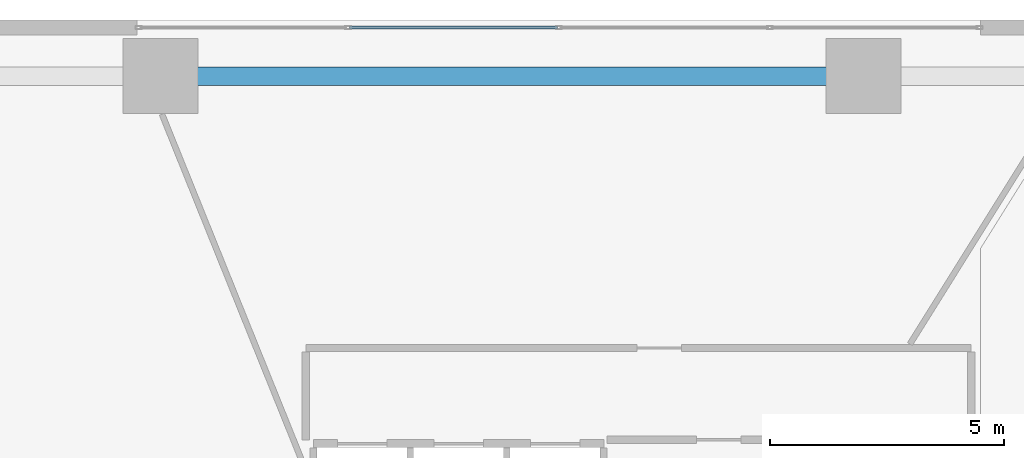
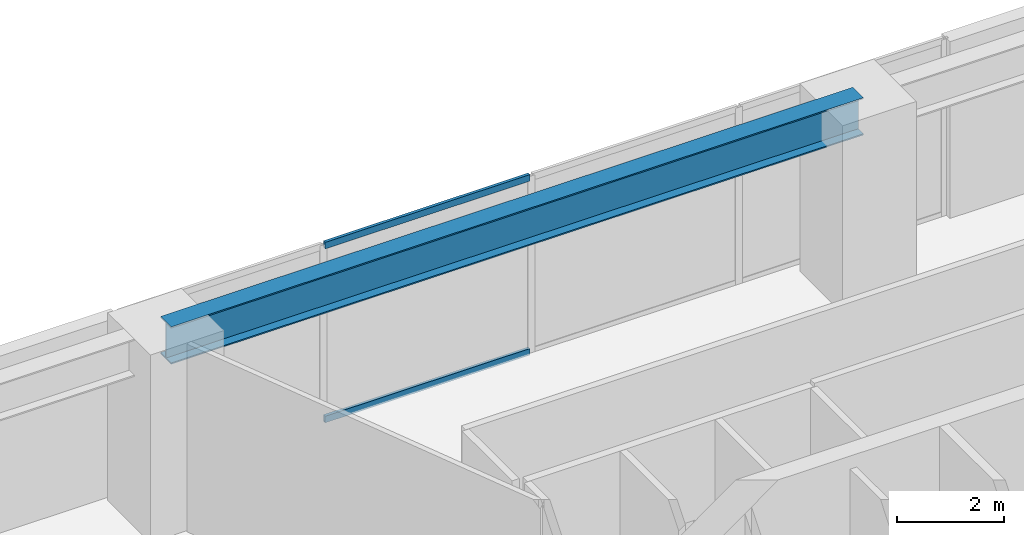
# One storey, part 11 of 24: 2 members, 1 beam, 1 element without a shape of its own.
"""IFC4 building model written with IfcOpenShell, lengths in metres."""

from ifc_helpers import new_model, si_unit, direction, frame, origin, origin_2d, place, context, subcontext, project, spatial, hollow_rectangle, i_section, extrude, source, transform, mapped, material, layer, layer_set, material_profile, profile_set, type_object, type_shapes, element, aggregate, save


model = new_model("IFC4")

# Units and contexts
model_context = context("Model", 3, precision=1e-05, world=origin(), true_north=direction((0.0, 1.0)))
body_context = subcontext(model_context, "Body", "Model", "MODEL_VIEW")
ifc_project = project(units=[si_unit("LENGTHUNIT", "METRE"), si_unit("AREAUNIT", "SQUARE_METRE"), si_unit("VOLUMEUNIT", "CUBIC_METRE"), si_unit("PLANEANGLEUNIT", "RADIAN"), si_unit("MASSUNIT", "GRAM", prefix="KILO")], contexts=[model_context])

# Site, building, storey
site_placement = place(None, origin())
site = spatial("IfcSite", under=ifc_project, at=site_placement, CompositionType="ELEMENT")
building_placement = place(site_placement, origin())
building = spatial("IfcBuilding", under=site, at=building_placement, Name="Talar Marvaseh", CompositionType="ELEMENT")
storey_placement = place(building_placement, frame((0.0, 0.0, 9.800048828125)))
storey = spatial("IfcBuildingStorey", under=building, at=storey_placement, Name="L02", CompositionType="ELEMENT", Elevation=9.800048828125)

# Beam
ifc_material_1 = material(Name="Steel S355", Category="steel")
ifc_material_profile_1 = material_profile(ifc_material_1, i_section(OverallWidth=0.39990234375, OverallDepth=0.85498046875, WebThickness=0.018310546875, FlangeThickness=0.029296875, at=origin_2d()), Name="W840x299")
ifc_profile_set_1 = profile_set([ifc_material_profile_1], Name="Steel S355")
beam_type = type_object("IfcBeamType", Name="Concourse Primary Girder W840x299", PredefinedType="BEAM", material=ifc_profile_set_1)
beam_placement = place(storey_placement, frame((18.5, 46.800048828125, 3.87255859375), z_axis=(1.0, 0.0, 0.0), x_axis=(0.0, 1.0, 0.0)))
element("IfcBeam", 1, at=beam_placement, inside=storey, type_object=beam_type, Name="L02 Concourse Primary Girder W840x299", PredefinedType="BEAM", context=body_context, shape_type="SweptSolid", body=[
    extrude(i_section(OverallWidth=0.39990234375, OverallDepth=0.85498046875, WebThickness=0.018310546875, FlangeThickness=0.029296875, at=origin_2d()), origin(), (0.0, 0.0, 1.0), 15.0),
])

# Curtain wall, members
ifc_material_2 = material(Name="Architectural Aluminium", Category="aluminium")
ifc_layer = layer(ifc_material_2, 0.25)
ifc_layer_set = layer_set([ifc_layer], Name="Architectural Aluminium")
curtain_wall_type = type_object("IfcCurtainWallType", Name="Station Podium Monumental Iwan Curtain Wall", PredefinedType="NOTDEFINED", material=ifc_layer_set)
curtain_wall_placement = place(storey_placement, origin())
curtain_wall = element("IfcCurtainWall", 2, at=curtain_wall_placement, inside=storey, type_object=curtain_wall_type, Name="L02 Station Podium Monumental Iwan Curtain Wall", PredefinedType="NOTDEFINED")
ifc_material_profile_2 = material_profile(ifc_material_2, hollow_rectangle(XDim=0.06494140625, YDim=0.14990234375, WallThickness=0.00390625, at=origin_2d()), Name="RHS150x65x4")
ifc_profile_set_2 = profile_set([ifc_material_profile_2], Name="Architectural Aluminium")
member_type = type_object("IfcMemberType", Name="Unitised Curtain Wall Slim Transom RHS150x65x4", PredefinedType="USERDEFINED", material=ifc_profile_set_2)
shared_shape = source(origin(), body_context, "Body", "SweptSolid", [
    extrude(hollow_rectangle(XDim=0.06494140625, YDim=0.14990234375, WallThickness=0.00390625, at=origin_2d()), origin(), (0.0, 0.0, 1.0), 4.43505859375),
])
type_shapes(member_type, [shared_shape])
member_1_placement = place(storey_placement, frame((22.532470703125, 47.840087890625, 0.032470703125), z_axis=(1.0, 0.0, 0.0), x_axis=(0.0, 1.0, 0.0)))
member_1 = element("IfcMember", 3, at=member_1_placement, type_object=member_type, Name="CW-POD transom 2.1", ObjectType="TRANSOM", PredefinedType="USERDEFINED", context=body_context, shape_type="MappedRepresentation", body=[
    mapped(shared_shape, transform((0.0, 0.0, 0.0), x_axis=(1.0, 0.0, 0.0), y_axis=(0.0, 1.0, 0.0), z_axis=(0.0, 0.0, 1.0), scale=1.0)),
])
member_2_placement = place(storey_placement, frame((22.532470703125, 47.840087890625, 4.017333984375), z_axis=(1.0, 0.0, 0.0), x_axis=(0.0, 1.0, 0.0)))
member_2 = element("IfcMember", 4, at=member_2_placement, type_object=member_type, Name="CW-POD transom 2.2", ObjectType="TRANSOM", PredefinedType="USERDEFINED", context=body_context, shape_type="MappedRepresentation", body=[
    mapped(shared_shape, transform((0.0, 0.0, 0.0), x_axis=(1.0, 0.0, 0.0), y_axis=(0.0, 1.0, 0.0), z_axis=(0.0, 0.0, 1.0), scale=1.0)),
])
aggregate(curtain_wall, [member_1, member_2])

save(model, "model.ifc")
